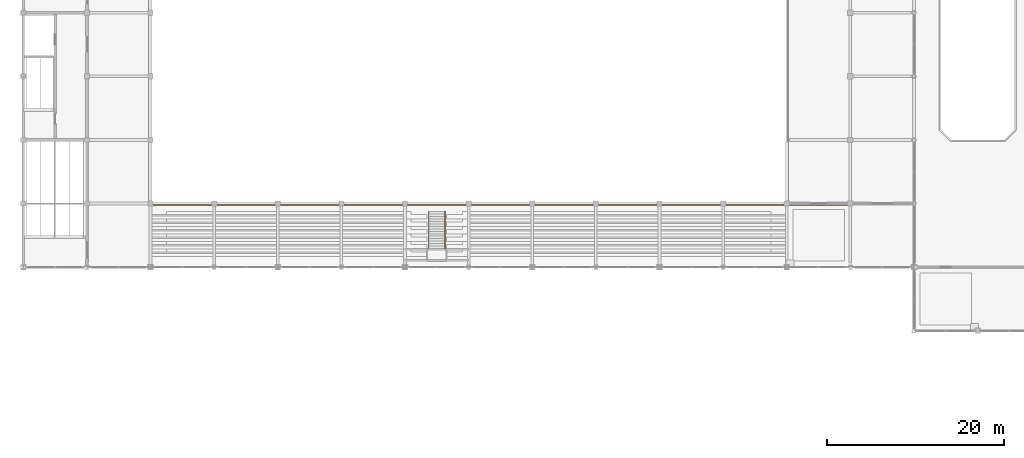
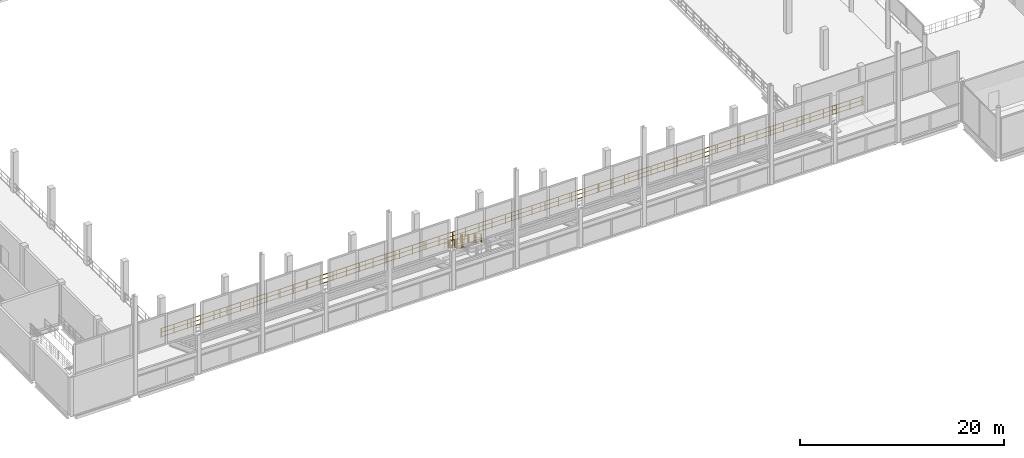
# One storey, part 105 of 120: 3 railings.
"""IFC4 building model written with IfcOpenShell, lengths in metres."""

from ifc_helpers import new_model, si_unit, direction, frame, origin, origin_2d, place, context, subcontext, project, spatial, circle, extrude, material, type_object, element, save


model = new_model("IFC4")

# Units and contexts
model_context = context("Model", 3, precision=1e-05, world=origin(), true_north=direction((0.0, 1.0)))
body_context = subcontext(model_context, "Body", "Model", "MODEL_VIEW")
ifc_project = project(units=[si_unit("LENGTHUNIT", "METRE"), si_unit("AREAUNIT", "SQUARE_METRE"), si_unit("VOLUMEUNIT", "CUBIC_METRE"), si_unit("PLANEANGLEUNIT", "RADIAN"), si_unit("MASSUNIT", "GRAM", prefix="KILO")], contexts=[model_context])

# Site, building, storey
site_placement = place(None, origin())
site = spatial("IfcSite", under=ifc_project, at=site_placement, CompositionType="ELEMENT")
building_placement = place(site_placement, origin())
building = spatial("IfcBuilding", under=site, at=building_placement, Name="Vesperath Aquatics Centre", CompositionType="ELEMENT")
storey_placement = place(building_placement, frame((0.0, 0.0, 10.199951171875)))
storey = spatial("IfcBuildingStorey", under=building, at=storey_placement, Name="L02", CompositionType="ELEMENT", Elevation=10.199951171875)

# Railings
ifc_material = material(Name="Powder-coated galvanized steel safety guard", Category="steel")
railing_type = type_object("IfcRailingType", Name="RL-GRD01", PredefinedType="GUARDRAIL", material=ifc_material)
railing_1_placement = place(storey_placement, frame((45.8798828125, 20.699951171875, 0.0)))
element("IfcRailing", 1, at=railing_1_placement, inside=storey, type_object=railing_type, Name="Vomitory VOM-07 Guardrail GR02-W", PredefinedType="GUARDRAIL", context=body_context, shape_type="SweptSolid", body=[
    extrude(circle(Radius=0.02392578125, at=origin_2d()), frame((0.0, 0.0, 1.0859375), z_axis=(0.0, -0.845711950773, 0.53363966899), x_axis=(1.0, 0.0, 0.0)), (0.0, 0.0, 1.0), 4.966064453125),
    extrude(circle(Radius=0.01611328125, at=origin_2d()), frame((0.0, 0.0, 0.10009765625), z_axis=(0.0, -0.845711950773, 0.53363966899), x_axis=(1.0, 0.0, 0.0)), (0.0, 0.0, 1.0), 4.966064453125),
    extrude(circle(Radius=0.01611328125, at=origin_2d()), frame((0.0, 0.0, 0.610595703125), z_axis=(0.0, -0.845711950773, 0.53363966899), x_axis=(1.0, 0.0, 0.0)), (0.0, 0.0, 1.0), 4.966064453125),
    extrude(circle(Radius=0.009033203125, at=origin_2d()), frame((0.0, -0.09130859375, 0.15771484375)), (0.0, 0.0, 1.0), 0.9619140625),
    extrude(circle(Radius=0.009033203125, at=origin_2d()), frame((0.0, -0.1826171875, 0.21533203125)), (0.0, 0.0, 1.0), 0.9619140625),
    extrude(circle(Radius=0.009033203125, at=origin_2d()), frame((0.0, -0.27392578125, 0.27294921875)), (0.0, 0.0, 1.0), 0.9619140625),
    extrude(circle(Radius=0.009033203125, at=origin_2d()), frame((0.0, -0.365234375, 0.33056640625)), (0.0, 0.0, 1.0), 0.9619140625),
    extrude(circle(Radius=0.009033203125, at=origin_2d()), frame((0.0, -0.45654296875, 0.38818359375)), (0.0, 0.0, 1.0), 0.9619140625),
    extrude(circle(Radius=0.009033203125, at=origin_2d()), frame((0.0, -0.5478515625, 0.44580078125)), (0.0, 0.0, 1.0), 0.9619140625),
    extrude(circle(Radius=0.009033203125, at=origin_2d()), frame((0.0, -0.63916015625, 0.50341796875)), (0.0, 0.0, 1.0), 0.9619140625),
    extrude(circle(Radius=0.009033203125, at=origin_2d()), frame((0.0, -0.73046875, 0.56103515625)), (0.0, 0.0, 1.0), 0.9619140625),
    extrude(circle(Radius=0.009033203125, at=origin_2d()), frame((0.0, -0.82177734375, 0.61865234375)), (0.0, 0.0, 1.0), 0.9619140625),
    extrude(circle(Radius=0.009033203125, at=origin_2d()), frame((0.0, -0.9130859375, 0.67626953125)), (0.0, 0.0, 1.0), 0.9619140625),
    extrude(circle(Radius=0.009033203125, at=origin_2d()), frame((0.0, -1.00439453125, 0.73388671875)), (0.0, 0.0, 1.0), 0.9619140625),
    extrude(circle(Radius=0.009033203125, at=origin_2d()), frame((0.0, -1.095703125, 0.79150390625)), (0.0, 0.0, 1.0), 0.9619140625),
    extrude(circle(Radius=0.009033203125, at=origin_2d()), frame((0.0, -1.18701171875, 0.84912109375)), (0.0, 0.0, 1.0), 0.9619140625),
    extrude(circle(Radius=0.009033203125, at=origin_2d()), frame((0.0, -1.2783203125, 0.90673828125)), (0.0, 0.0, 1.0), 0.9619140625),
    extrude(circle(Radius=0.009033203125, at=origin_2d()), frame((0.0, -1.36962890625, 0.96435546875)), (0.0, 0.0, 1.0), 0.9619140625),
    extrude(circle(Radius=0.009033203125, at=origin_2d()), frame((0.0, -1.4609375, 1.02197265625)), (0.0, 0.0, 1.0), 0.9619140625),
    extrude(circle(Radius=0.009033203125, at=origin_2d()), frame((0.0, -1.55224609375, 1.07958984375)), (0.0, 0.0, 1.0), 0.9619140625),
    extrude(circle(Radius=0.009033203125, at=origin_2d()), frame((0.0, -1.6435546875, 1.13720703125)), (0.0, 0.0, 1.0), 0.9619140625),
    extrude(circle(Radius=0.009033203125, at=origin_2d()), frame((0.0, -1.73486328125, 1.19482421875)), (0.0, 0.0, 1.0), 0.9619140625),
    extrude(circle(Radius=0.009033203125, at=origin_2d()), frame((0.0, -1.826171875, 1.25244140625)), (0.0, 0.0, 1.0), 0.9619140625),
    extrude(circle(Radius=0.009033203125, at=origin_2d()), frame((0.0, -1.91748046875, 1.31005859375)), (0.0, 0.0, 1.0), 0.9619140625),
    extrude(circle(Radius=0.009033203125, at=origin_2d()), frame((0.0, -2.0087890625, 1.36767578125)), (0.0, 0.0, 1.0), 0.9619140625),
    extrude(circle(Radius=0.009033203125, at=origin_2d()), frame((0.0, -2.10009765625, 1.42529296875)), (0.0, 0.0, 1.0), 0.9619140625),
    extrude(circle(Radius=0.009033203125, at=origin_2d()), frame((0.0, -2.191162109375, 1.482666015625)), (0.0, 0.0, 1.0), 0.9619140625),
    extrude(circle(Radius=0.009033203125, at=origin_2d()), frame((0.0, -2.282470703125, 1.540283203125)), (0.0, 0.0, 1.0), 0.9619140625),
    extrude(circle(Radius=0.009033203125, at=origin_2d()), frame((0.0, -2.373779296875, 1.597900390625)), (0.0, 0.0, 1.0), 0.9619140625),
    extrude(circle(Radius=0.009033203125, at=origin_2d()), frame((0.0, -2.465087890625, 1.655517578125)), (0.0, 0.0, 1.0), 0.9619140625),
    extrude(circle(Radius=0.009033203125, at=origin_2d()), frame((0.0, -2.556396484375, 1.713134765625)), (0.0, 0.0, 1.0), 0.9619140625),
    extrude(circle(Radius=0.009033203125, at=origin_2d()), frame((0.0, -2.647705078125, 1.770751953125)), (0.0, 0.0, 1.0), 0.9619140625),
    extrude(circle(Radius=0.009033203125, at=origin_2d()), frame((0.0, -2.739013671875, 1.828369140625)), (0.0, 0.0, 1.0), 0.9619140625),
    extrude(circle(Radius=0.009033203125, at=origin_2d()), frame((0.0, -2.830322265625, 1.885986328125)), (0.0, 0.0, 1.0), 0.9619140625),
    extrude(circle(Radius=0.009033203125, at=origin_2d()), frame((0.0, -2.921630859375, 1.943603515625)), (0.0, 0.0, 1.0), 0.9619140625),
    extrude(circle(Radius=0.009033203125, at=origin_2d()), frame((0.0, -3.012939453125, 2.001220703125)), (0.0, 0.0, 1.0), 0.9619140625),
    extrude(circle(Radius=0.009033203125, at=origin_2d()), frame((0.0, -3.104248046875, 2.058837890625)), (0.0, 0.0, 1.0), 0.9619140625),
    extrude(circle(Radius=0.009033203125, at=origin_2d()), frame((0.0, -3.195556640625, 2.116455078125)), (0.0, 0.0, 1.0), 0.9619140625),
    extrude(circle(Radius=0.009033203125, at=origin_2d()), frame((0.0, -3.286865234375, 2.174072265625)), (0.0, 0.0, 1.0), 0.9619140625),
    extrude(circle(Radius=0.009033203125, at=origin_2d()), frame((0.0, -3.378173828125, 2.231689453125)), (0.0, 0.0, 1.0), 0.9619140625),
    extrude(circle(Radius=0.009033203125, at=origin_2d()), frame((0.0, -3.469482421875, 2.289306640625)), (0.0, 0.0, 1.0), 0.9619140625),
    extrude(circle(Radius=0.009033203125, at=origin_2d()), frame((0.0, -3.560791015625, 2.346923828125)), (0.0, 0.0, 1.0), 0.9619140625),
    extrude(circle(Radius=0.009033203125, at=origin_2d()), frame((0.0, -3.652099609375, 2.404541015625)), (0.0, 0.0, 1.0), 0.9619140625),
    extrude(circle(Radius=0.009033203125, at=origin_2d()), frame((0.0, -3.743408203125, 2.462158203125)), (0.0, 0.0, 1.0), 0.9619140625),
    extrude(circle(Radius=0.009033203125, at=origin_2d()), frame((0.0, -3.834716796875, 2.519775390625)), (0.0, 0.0, 1.0), 0.9619140625),
    extrude(circle(Radius=0.009033203125, at=origin_2d()), frame((0.0, -3.926025390625, 2.577392578125)), (0.0, 0.0, 1.0), 0.9619140625),
    extrude(circle(Radius=0.009033203125, at=origin_2d()), frame((0.0, -4.017333984375, 2.635009765625)), (0.0, 0.0, 1.0), 0.9619140625),
    extrude(circle(Radius=0.009033203125, at=origin_2d()), frame((0.0, -4.108642578125, 2.692626953125)), (0.0, 0.0, 1.0), 0.9619140625),
    extrude(circle(Radius=0.02197265625, at=origin_2d()), origin(), (0.0, 0.0, 1.0), 1.0859375),
    extrude(circle(Radius=0.02197265625, at=origin_2d()), frame((0.0, -0.840087890625, 0.530029296875)), (0.0, 0.0, 1.0), 1.0859375),
    extrude(circle(Radius=0.02197265625, at=origin_2d()), frame((0.0, -1.679931640625, 1.06005859375)), (0.0, 0.0, 1.0), 1.0859375),
    extrude(circle(Radius=0.02197265625, at=origin_2d()), frame((0.0, -2.52001953125, 1.590087890625)), (0.0, 0.0, 1.0), 1.0859375),
    extrude(circle(Radius=0.02197265625, at=origin_2d()), frame((0.0, -3.35986328125, 2.1201171875)), (0.0, 0.0, 1.0), 1.0859375),
    extrude(circle(Radius=0.02197265625, at=origin_2d()), frame((0.0, -4.199951171875, 2.650146484375)), (0.0, 0.0, 1.0), 1.0859375),
])
railing_2_placement = place(storey_placement, frame((47.719970703125, 20.699951171875, 0.0)))
element("IfcRailing", 2, at=railing_2_placement, inside=storey, type_object=railing_type, Name="Vomitory VOM-07 Guardrail GR02-E", PredefinedType="GUARDRAIL", context=body_context, shape_type="SweptSolid", body=[
    extrude(circle(Radius=0.02392578125, at=origin_2d()), frame((0.0, 0.0, 1.0859375), z_axis=(0.0, -0.845711950773, 0.53363966899), x_axis=(1.0, 0.0, 0.0)), (0.0, 0.0, 1.0), 4.966064453125),
    extrude(circle(Radius=0.01611328125, at=origin_2d()), frame((0.0, 0.0, 0.10009765625), z_axis=(0.0, -0.845711950773, 0.53363966899), x_axis=(1.0, 0.0, 0.0)), (0.0, 0.0, 1.0), 4.966064453125),
    extrude(circle(Radius=0.01611328125, at=origin_2d()), frame((0.0, 0.0, 0.610595703125), z_axis=(0.0, -0.845711950773, 0.53363966899), x_axis=(1.0, 0.0, 0.0)), (0.0, 0.0, 1.0), 4.966064453125),
    extrude(circle(Radius=0.009033203125, at=origin_2d()), frame((0.0, -0.09130859375, 0.15771484375)), (0.0, 0.0, 1.0), 0.9619140625),
    extrude(circle(Radius=0.009033203125, at=origin_2d()), frame((0.0, -0.1826171875, 0.21533203125)), (0.0, 0.0, 1.0), 0.9619140625),
    extrude(circle(Radius=0.009033203125, at=origin_2d()), frame((0.0, -0.27392578125, 0.27294921875)), (0.0, 0.0, 1.0), 0.9619140625),
    extrude(circle(Radius=0.009033203125, at=origin_2d()), frame((0.0, -0.365234375, 0.33056640625)), (0.0, 0.0, 1.0), 0.9619140625),
    extrude(circle(Radius=0.009033203125, at=origin_2d()), frame((0.0, -0.45654296875, 0.38818359375)), (0.0, 0.0, 1.0), 0.9619140625),
    extrude(circle(Radius=0.009033203125, at=origin_2d()), frame((0.0, -0.5478515625, 0.44580078125)), (0.0, 0.0, 1.0), 0.9619140625),
    extrude(circle(Radius=0.009033203125, at=origin_2d()), frame((0.0, -0.63916015625, 0.50341796875)), (0.0, 0.0, 1.0), 0.9619140625),
    extrude(circle(Radius=0.009033203125, at=origin_2d()), frame((0.0, -0.73046875, 0.56103515625)), (0.0, 0.0, 1.0), 0.9619140625),
    extrude(circle(Radius=0.009033203125, at=origin_2d()), frame((0.0, -0.82177734375, 0.61865234375)), (0.0, 0.0, 1.0), 0.9619140625),
    extrude(circle(Radius=0.009033203125, at=origin_2d()), frame((0.0, -0.9130859375, 0.67626953125)), (0.0, 0.0, 1.0), 0.9619140625),
    extrude(circle(Radius=0.009033203125, at=origin_2d()), frame((0.0, -1.00439453125, 0.73388671875)), (0.0, 0.0, 1.0), 0.9619140625),
    extrude(circle(Radius=0.009033203125, at=origin_2d()), frame((0.0, -1.095703125, 0.79150390625)), (0.0, 0.0, 1.0), 0.9619140625),
    extrude(circle(Radius=0.009033203125, at=origin_2d()), frame((0.0, -1.18701171875, 0.84912109375)), (0.0, 0.0, 1.0), 0.9619140625),
    extrude(circle(Radius=0.009033203125, at=origin_2d()), frame((0.0, -1.2783203125, 0.90673828125)), (0.0, 0.0, 1.0), 0.9619140625),
    extrude(circle(Radius=0.009033203125, at=origin_2d()), frame((0.0, -1.36962890625, 0.96435546875)), (0.0, 0.0, 1.0), 0.9619140625),
    extrude(circle(Radius=0.009033203125, at=origin_2d()), frame((0.0, -1.4609375, 1.02197265625)), (0.0, 0.0, 1.0), 0.9619140625),
    extrude(circle(Radius=0.009033203125, at=origin_2d()), frame((0.0, -1.55224609375, 1.07958984375)), (0.0, 0.0, 1.0), 0.9619140625),
    extrude(circle(Radius=0.009033203125, at=origin_2d()), frame((0.0, -1.6435546875, 1.13720703125)), (0.0, 0.0, 1.0), 0.9619140625),
    extrude(circle(Radius=0.009033203125, at=origin_2d()), frame((0.0, -1.73486328125, 1.19482421875)), (0.0, 0.0, 1.0), 0.9619140625),
    extrude(circle(Radius=0.009033203125, at=origin_2d()), frame((0.0, -1.826171875, 1.25244140625)), (0.0, 0.0, 1.0), 0.9619140625),
    extrude(circle(Radius=0.009033203125, at=origin_2d()), frame((0.0, -1.91748046875, 1.31005859375)), (0.0, 0.0, 1.0), 0.9619140625),
    extrude(circle(Radius=0.009033203125, at=origin_2d()), frame((0.0, -2.0087890625, 1.36767578125)), (0.0, 0.0, 1.0), 0.9619140625),
    extrude(circle(Radius=0.009033203125, at=origin_2d()), frame((0.0, -2.10009765625, 1.42529296875)), (0.0, 0.0, 1.0), 0.9619140625),
    extrude(circle(Radius=0.009033203125, at=origin_2d()), frame((0.0, -2.191162109375, 1.482666015625)), (0.0, 0.0, 1.0), 0.9619140625),
    extrude(circle(Radius=0.009033203125, at=origin_2d()), frame((0.0, -2.282470703125, 1.540283203125)), (0.0, 0.0, 1.0), 0.9619140625),
    extrude(circle(Radius=0.009033203125, at=origin_2d()), frame((0.0, -2.373779296875, 1.597900390625)), (0.0, 0.0, 1.0), 0.9619140625),
    extrude(circle(Radius=0.009033203125, at=origin_2d()), frame((0.0, -2.465087890625, 1.655517578125)), (0.0, 0.0, 1.0), 0.9619140625),
    extrude(circle(Radius=0.009033203125, at=origin_2d()), frame((0.0, -2.556396484375, 1.713134765625)), (0.0, 0.0, 1.0), 0.9619140625),
    extrude(circle(Radius=0.009033203125, at=origin_2d()), frame((0.0, -2.647705078125, 1.770751953125)), (0.0, 0.0, 1.0), 0.9619140625),
    extrude(circle(Radius=0.009033203125, at=origin_2d()), frame((0.0, -2.739013671875, 1.828369140625)), (0.0, 0.0, 1.0), 0.9619140625),
    extrude(circle(Radius=0.009033203125, at=origin_2d()), frame((0.0, -2.830322265625, 1.885986328125)), (0.0, 0.0, 1.0), 0.9619140625),
    extrude(circle(Radius=0.009033203125, at=origin_2d()), frame((0.0, -2.921630859375, 1.943603515625)), (0.0, 0.0, 1.0), 0.9619140625),
    extrude(circle(Radius=0.009033203125, at=origin_2d()), frame((0.0, -3.012939453125, 2.001220703125)), (0.0, 0.0, 1.0), 0.9619140625),
    extrude(circle(Radius=0.009033203125, at=origin_2d()), frame((0.0, -3.104248046875, 2.058837890625)), (0.0, 0.0, 1.0), 0.9619140625),
    extrude(circle(Radius=0.009033203125, at=origin_2d()), frame((0.0, -3.195556640625, 2.116455078125)), (0.0, 0.0, 1.0), 0.9619140625),
    extrude(circle(Radius=0.009033203125, at=origin_2d()), frame((0.0, -3.286865234375, 2.174072265625)), (0.0, 0.0, 1.0), 0.9619140625),
    extrude(circle(Radius=0.009033203125, at=origin_2d()), frame((0.0, -3.378173828125, 2.231689453125)), (0.0, 0.0, 1.0), 0.9619140625),
    extrude(circle(Radius=0.009033203125, at=origin_2d()), frame((0.0, -3.469482421875, 2.289306640625)), (0.0, 0.0, 1.0), 0.9619140625),
    extrude(circle(Radius=0.009033203125, at=origin_2d()), frame((0.0, -3.560791015625, 2.346923828125)), (0.0, 0.0, 1.0), 0.9619140625),
    extrude(circle(Radius=0.009033203125, at=origin_2d()), frame((0.0, -3.652099609375, 2.404541015625)), (0.0, 0.0, 1.0), 0.9619140625),
    extrude(circle(Radius=0.009033203125, at=origin_2d()), frame((0.0, -3.743408203125, 2.462158203125)), (0.0, 0.0, 1.0), 0.9619140625),
    extrude(circle(Radius=0.009033203125, at=origin_2d()), frame((0.0, -3.834716796875, 2.519775390625)), (0.0, 0.0, 1.0), 0.9619140625),
    extrude(circle(Radius=0.009033203125, at=origin_2d()), frame((0.0, -3.926025390625, 2.577392578125)), (0.0, 0.0, 1.0), 0.9619140625),
    extrude(circle(Radius=0.009033203125, at=origin_2d()), frame((0.0, -4.017333984375, 2.635009765625)), (0.0, 0.0, 1.0), 0.9619140625),
    extrude(circle(Radius=0.009033203125, at=origin_2d()), frame((0.0, -4.108642578125, 2.692626953125)), (0.0, 0.0, 1.0), 0.9619140625),
    extrude(circle(Radius=0.02197265625, at=origin_2d()), origin(), (0.0, 0.0, 1.0), 1.0859375),
    extrude(circle(Radius=0.02197265625, at=origin_2d()), frame((0.0, -0.840087890625, 0.530029296875)), (0.0, 0.0, 1.0), 1.0859375),
    extrude(circle(Radius=0.02197265625, at=origin_2d()), frame((0.0, -1.679931640625, 1.06005859375)), (0.0, 0.0, 1.0), 1.0859375),
    extrude(circle(Radius=0.02197265625, at=origin_2d()), frame((0.0, -2.52001953125, 1.590087890625)), (0.0, 0.0, 1.0), 1.0859375),
    extrude(circle(Radius=0.02197265625, at=origin_2d()), frame((0.0, -3.35986328125, 2.1201171875)), (0.0, 0.0, 1.0), 1.0859375),
    extrude(circle(Radius=0.02197265625, at=origin_2d()), frame((0.0, -4.199951171875, 2.650146484375)), (0.0, 0.0, 1.0), 1.0859375),
])
railing_3_placement = place(storey_placement, frame((14.25, 21.449951171875, 0.0)))
element("IfcRailing", 3, at=railing_3_placement, inside=storey, type_object=railing_type, Name="Safety Guardrail GR02 GRD_L02_CONC_S", PredefinedType="GUARDRAIL", context=body_context, shape_type="SweptSolid", body=[
    extrude(circle(Radius=0.02392578125, at=origin_2d()), frame((0.0, 0.0, 1.0859375), z_axis=(1.0, 0.0, 0.0), x_axis=(0.0, 1.0, 0.0)), (0.0, 0.0, 1.0), 79.5),
    extrude(circle(Radius=0.01611328125, at=origin_2d()), frame((0.0, 0.0, 0.10009765625), z_axis=(1.0, 0.0, 0.0), x_axis=(0.0, 1.0, 0.0)), (0.0, 0.0, 1.0), 79.5),
    extrude(circle(Radius=0.01611328125, at=origin_2d()), frame((0.0, 0.0, 0.610595703125), z_axis=(1.0, 0.0, 0.0), x_axis=(0.0, 1.0, 0.0)), (0.0, 0.0, 1.0), 79.5),
    extrude(circle(Radius=0.009033203125, at=origin_2d()), frame((0.10986328125, 0.0, 0.10009765625)), (0.0, 0.0, 1.0), 0.9619140625),
    extrude(circle(Radius=0.009033203125, at=origin_2d()), frame((3.40869140625, 0.0, 0.10009765625)), (0.0, 0.0, 1.0), 0.9619140625),
    extrude(circle(Radius=0.009033203125, at=origin_2d()), frame((6.70751953125, 0.0, 0.10009765625)), (0.0, 0.0, 1.0), 0.9619140625),
    extrude(circle(Radius=0.009033203125, at=origin_2d()), frame((10.006103515625, 0.0, 0.10009765625)), (0.0, 0.0, 1.0), 0.9619140625),
    extrude(circle(Radius=0.009033203125, at=origin_2d()), frame((13.304931640625, 0.0, 0.10009765625)), (0.0, 0.0, 1.0), 0.9619140625),
    extrude(circle(Radius=0.009033203125, at=origin_2d()), frame((16.603759765625, 0.0, 0.10009765625)), (0.0, 0.0, 1.0), 0.9619140625),
    extrude(circle(Radius=0.009033203125, at=origin_2d()), frame((19.902587890625, 0.0, 0.10009765625)), (0.0, 0.0, 1.0), 0.9619140625),
    extrude(circle(Radius=0.009033203125, at=origin_2d()), frame((23.201171875, 0.0, 0.10009765625)), (0.0, 0.0, 1.0), 0.9619140625),
    extrude(circle(Radius=0.009033203125, at=origin_2d()), frame((26.5, 0.0, 0.10009765625)), (0.0, 0.0, 1.0), 0.9619140625),
    extrude(circle(Radius=0.009033203125, at=origin_2d()), frame((29.798828125, 0.0, 0.10009765625)), (0.0, 0.0, 1.0), 0.9619140625),
    extrude(circle(Radius=0.009033203125, at=origin_2d()), frame((33.097412109375, 0.0, 0.10009765625)), (0.0, 0.0, 1.0), 0.9619140625),
    extrude(circle(Radius=0.009033203125, at=origin_2d()), frame((36.396240234375, 0.0, 0.10009765625)), (0.0, 0.0, 1.0), 0.9619140625),
    extrude(circle(Radius=0.009033203125, at=origin_2d()), frame((39.695068359375, 0.0, 0.10009765625)), (0.0, 0.0, 1.0), 0.9619140625),
    extrude(circle(Radius=0.009033203125, at=origin_2d()), frame((42.993896484375, 0.0, 0.10009765625)), (0.0, 0.0, 1.0), 0.9619140625),
    extrude(circle(Radius=0.009033203125, at=origin_2d()), frame((46.29248046875, 0.0, 0.10009765625)), (0.0, 0.0, 1.0), 0.9619140625),
    extrude(circle(Radius=0.009033203125, at=origin_2d()), frame((49.59130859375, 0.0, 0.10009765625)), (0.0, 0.0, 1.0), 0.9619140625),
    extrude(circle(Radius=0.009033203125, at=origin_2d()), frame((52.89013671875, 0.0, 0.10009765625)), (0.0, 0.0, 1.0), 0.9619140625),
    extrude(circle(Radius=0.009033203125, at=origin_2d()), frame((56.188720703125, 0.0, 0.10009765625)), (0.0, 0.0, 1.0), 0.9619140625),
    extrude(circle(Radius=0.009033203125, at=origin_2d()), frame((59.487548828125, 0.0, 0.10009765625)), (0.0, 0.0, 1.0), 0.9619140625),
    extrude(circle(Radius=0.009033203125, at=origin_2d()), frame((62.786376953125, 0.0, 0.10009765625)), (0.0, 0.0, 1.0), 0.9619140625),
    extrude(circle(Radius=0.009033203125, at=origin_2d()), frame((66.0849609375, 0.0, 0.10009765625)), (0.0, 0.0, 1.0), 0.9619140625),
    extrude(circle(Radius=0.009033203125, at=origin_2d()), frame((69.3837890625, 0.0, 0.10009765625)), (0.0, 0.0, 1.0), 0.9619140625),
    extrude(circle(Radius=0.009033203125, at=origin_2d()), frame((72.6826171875, 0.0, 0.10009765625)), (0.0, 0.0, 1.0), 0.9619140625),
    extrude(circle(Radius=0.009033203125, at=origin_2d()), frame((75.9814453125, 0.0, 0.10009765625)), (0.0, 0.0, 1.0), 0.9619140625),
    extrude(circle(Radius=0.009033203125, at=origin_2d()), frame((79.280029296875, 0.0, 0.10009765625)), (0.0, 0.0, 1.0), 0.9619140625),
    extrude(circle(Radius=0.02197265625, at=origin_2d()), origin(), (0.0, 0.0, 1.0), 1.0859375),
    extrude(circle(Radius=0.02197265625, at=origin_2d()), frame((1.5, 0.0, 0.0)), (0.0, 0.0, 1.0), 1.0859375),
    extrude(circle(Radius=0.02197265625, at=origin_2d()), frame((3.0, 0.0, 0.0)), (0.0, 0.0, 1.0), 1.0859375),
    extrude(circle(Radius=0.02197265625, at=origin_2d()), frame((4.5, 0.0, 0.0)), (0.0, 0.0, 1.0), 1.0859375),
    extrude(circle(Radius=0.02197265625, at=origin_2d()), frame((6.0, 0.0, 0.0)), (0.0, 0.0, 1.0), 1.0859375),
    extrude(circle(Radius=0.02197265625, at=origin_2d()), frame((7.5, 0.0, 0.0)), (0.0, 0.0, 1.0), 1.0859375),
    extrude(circle(Radius=0.02197265625, at=origin_2d()), frame((9.0, 0.0, 0.0)), (0.0, 0.0, 1.0), 1.0859375),
    extrude(circle(Radius=0.02197265625, at=origin_2d()), frame((10.5, 0.0, 0.0)), (0.0, 0.0, 1.0), 1.0859375),
    extrude(circle(Radius=0.02197265625, at=origin_2d()), frame((12.0, 0.0, 0.0)), (0.0, 0.0, 1.0), 1.0859375),
    extrude(circle(Radius=0.02197265625, at=origin_2d()), frame((13.5, 0.0, 0.0)), (0.0, 0.0, 1.0), 1.0859375),
    extrude(circle(Radius=0.02197265625, at=origin_2d()), frame((15.0, 0.0, 0.0)), (0.0, 0.0, 1.0), 1.0859375),
    extrude(circle(Radius=0.02197265625, at=origin_2d()), frame((16.5, 0.0, 0.0)), (0.0, 0.0, 1.0), 1.0859375),
    extrude(circle(Radius=0.02197265625, at=origin_2d()), frame((18.0, 0.0, 0.0)), (0.0, 0.0, 1.0), 1.0859375),
    extrude(circle(Radius=0.02197265625, at=origin_2d()), frame((19.5, 0.0, 0.0)), (0.0, 0.0, 1.0), 1.0859375),
    extrude(circle(Radius=0.02197265625, at=origin_2d()), frame((21.0, 0.0, 0.0)), (0.0, 0.0, 1.0), 1.0859375),
    extrude(circle(Radius=0.02197265625, at=origin_2d()), frame((22.5, 0.0, 0.0)), (0.0, 0.0, 1.0), 1.0859375),
    extrude(circle(Radius=0.02197265625, at=origin_2d()), frame((24.0, 0.0, 0.0)), (0.0, 0.0, 1.0), 1.0859375),
    extrude(circle(Radius=0.02197265625, at=origin_2d()), frame((25.5, 0.0, 0.0)), (0.0, 0.0, 1.0), 1.0859375),
    extrude(circle(Radius=0.02197265625, at=origin_2d()), frame((27.0, 0.0, 0.0)), (0.0, 0.0, 1.0), 1.0859375),
    extrude(circle(Radius=0.02197265625, at=origin_2d()), frame((28.5, 0.0, 0.0)), (0.0, 0.0, 1.0), 1.0859375),
    extrude(circle(Radius=0.02197265625, at=origin_2d()), frame((30.0, 0.0, 0.0)), (0.0, 0.0, 1.0), 1.0859375),
    extrude(circle(Radius=0.02197265625, at=origin_2d()), frame((31.5, 0.0, 0.0)), (0.0, 0.0, 1.0), 1.0859375),
    extrude(circle(Radius=0.02197265625, at=origin_2d()), frame((33.0, 0.0, 0.0)), (0.0, 0.0, 1.0), 1.0859375),
    extrude(circle(Radius=0.02197265625, at=origin_2d()), frame((34.5, 0.0, 0.0)), (0.0, 0.0, 1.0), 1.0859375),
    extrude(circle(Radius=0.02197265625, at=origin_2d()), frame((36.0, 0.0, 0.0)), (0.0, 0.0, 1.0), 1.0859375),
    extrude(circle(Radius=0.02197265625, at=origin_2d()), frame((37.5, 0.0, 0.0)), (0.0, 0.0, 1.0), 1.0859375),
    extrude(circle(Radius=0.02197265625, at=origin_2d()), frame((39.0, 0.0, 0.0)), (0.0, 0.0, 1.0), 1.0859375),
    extrude(circle(Radius=0.02197265625, at=origin_2d()), frame((40.5, 0.0, 0.0)), (0.0, 0.0, 1.0), 1.0859375),
    extrude(circle(Radius=0.02197265625, at=origin_2d()), frame((42.0, 0.0, 0.0)), (0.0, 0.0, 1.0), 1.0859375),
    extrude(circle(Radius=0.02197265625, at=origin_2d()), frame((43.5, 0.0, 0.0)), (0.0, 0.0, 1.0), 1.0859375),
    extrude(circle(Radius=0.02197265625, at=origin_2d()), frame((45.0, 0.0, 0.0)), (0.0, 0.0, 1.0), 1.0859375),
    extrude(circle(Radius=0.02197265625, at=origin_2d()), frame((46.5, 0.0, 0.0)), (0.0, 0.0, 1.0), 1.0859375),
    extrude(circle(Radius=0.02197265625, at=origin_2d()), frame((48.0, 0.0, 0.0)), (0.0, 0.0, 1.0), 1.0859375),
    extrude(circle(Radius=0.02197265625, at=origin_2d()), frame((49.5, 0.0, 0.0)), (0.0, 0.0, 1.0), 1.0859375),
    extrude(circle(Radius=0.02197265625, at=origin_2d()), frame((51.0, 0.0, 0.0)), (0.0, 0.0, 1.0), 1.0859375),
    extrude(circle(Radius=0.02197265625, at=origin_2d()), frame((52.5, 0.0, 0.0)), (0.0, 0.0, 1.0), 1.0859375),
    extrude(circle(Radius=0.02197265625, at=origin_2d()), frame((54.0, 0.0, 0.0)), (0.0, 0.0, 1.0), 1.0859375),
    extrude(circle(Radius=0.02197265625, at=origin_2d()), frame((55.5, 0.0, 0.0)), (0.0, 0.0, 1.0), 1.0859375),
    extrude(circle(Radius=0.02197265625, at=origin_2d()), frame((57.0, 0.0, 0.0)), (0.0, 0.0, 1.0), 1.0859375),
    extrude(circle(Radius=0.02197265625, at=origin_2d()), frame((58.5, 0.0, 0.0)), (0.0, 0.0, 1.0), 1.0859375),
    extrude(circle(Radius=0.02197265625, at=origin_2d()), frame((60.0, 0.0, 0.0)), (0.0, 0.0, 1.0), 1.0859375),
    extrude(circle(Radius=0.02197265625, at=origin_2d()), frame((61.5, 0.0, 0.0)), (0.0, 0.0, 1.0), 1.0859375),
    extrude(circle(Radius=0.02197265625, at=origin_2d()), frame((63.0, 0.0, 0.0)), (0.0, 0.0, 1.0), 1.0859375),
    extrude(circle(Radius=0.02197265625, at=origin_2d()), frame((64.5, 0.0, 0.0)), (0.0, 0.0, 1.0), 1.0859375),
    extrude(circle(Radius=0.02197265625, at=origin_2d()), frame((66.0, 0.0, 0.0)), (0.0, 0.0, 1.0), 1.0859375),
    extrude(circle(Radius=0.02197265625, at=origin_2d()), frame((67.5, 0.0, 0.0)), (0.0, 0.0, 1.0), 1.0859375),
    extrude(circle(Radius=0.02197265625, at=origin_2d()), frame((69.0, 0.0, 0.0)), (0.0, 0.0, 1.0), 1.0859375),
    extrude(circle(Radius=0.02197265625, at=origin_2d()), frame((70.5, 0.0, 0.0)), (0.0, 0.0, 1.0), 1.0859375),
    extrude(circle(Radius=0.02197265625, at=origin_2d()), frame((72.0, 0.0, 0.0)), (0.0, 0.0, 1.0), 1.0859375),
    extrude(circle(Radius=0.02197265625, at=origin_2d()), frame((73.5, 0.0, 0.0)), (0.0, 0.0, 1.0), 1.0859375),
    extrude(circle(Radius=0.02197265625, at=origin_2d()), frame((75.0, 0.0, 0.0)), (0.0, 0.0, 1.0), 1.0859375),
    extrude(circle(Radius=0.02197265625, at=origin_2d()), frame((76.5, 0.0, 0.0)), (0.0, 0.0, 1.0), 1.0859375),
    extrude(circle(Radius=0.02197265625, at=origin_2d()), frame((78.0, 0.0, 0.0)), (0.0, 0.0, 1.0), 1.0859375),
    extrude(circle(Radius=0.02197265625, at=origin_2d()), frame((79.5, 0.0, 0.0)), (0.0, 0.0, 1.0), 1.0859375),
])

save(model, "model.ifc")
